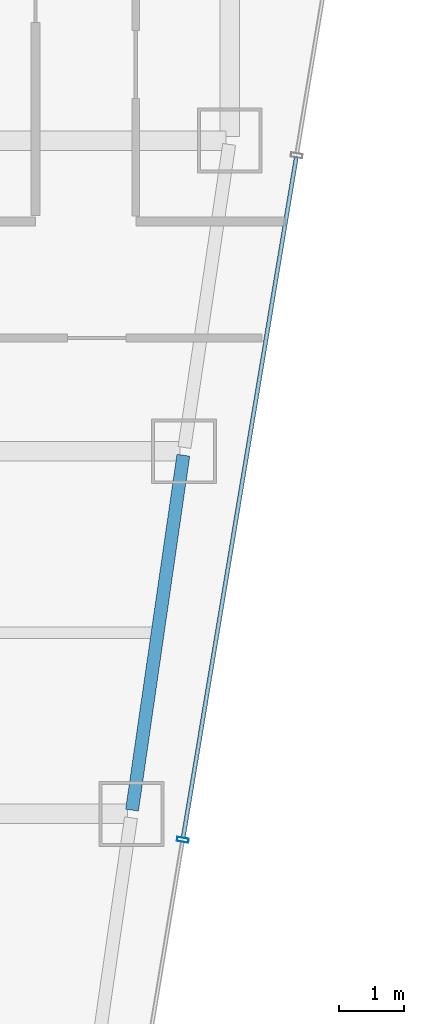
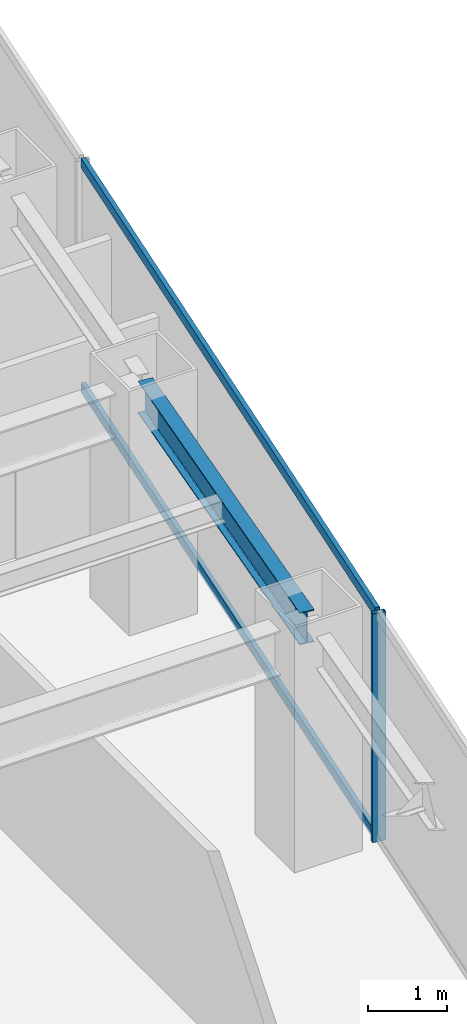
# One storey, part 18 of 36: 3 members, 1 beam, 1 element without a shape of its own.
"""IFC4 building model written with IfcOpenShell, lengths in metres."""

from ifc_helpers import new_model, si_unit, direction, frame, origin, origin_2d, place, context, subcontext, project, spatial, hollow_rectangle, i_section, extrude, material, material_profile, profile_set, type_object, element, aggregate, save


model = new_model("IFC4")

# Units and contexts
model_context = context("Model", 3, precision=1e-05, world=origin(), true_north=direction((0.0, 1.0)))
body_context = subcontext(model_context, "Body", "Model", "MODEL_VIEW")
ifc_project = project(units=[si_unit("LENGTHUNIT", "METRE"), si_unit("AREAUNIT", "SQUARE_METRE"), si_unit("VOLUMEUNIT", "CUBIC_METRE"), si_unit("PLANEANGLEUNIT", "RADIAN"), si_unit("MASSUNIT", "GRAM", prefix="KILO")], contexts=[model_context])

# Site, building, storey
site_placement = place(None, origin())
site = spatial("IfcSite", under=ifc_project, at=site_placement, CompositionType="ELEMENT")
building_placement = place(site_placement, origin())
building = spatial("IfcBuilding", under=site, at=building_placement, Name="Saevonmaru Cultural Tower", CompositionType="ELEMENT")
storey_placement = place(building_placement, frame((0.0, 0.0, 152.39990234375)))
storey = spatial("IfcBuildingStorey", under=building, at=storey_placement, Name="L33", CompositionType="ELEMENT", Elevation=152.39990234375)

# Beam
ifc_material_1 = material(Name="Steel SM355", Category="steel")
ifc_material_profile_1 = material_profile(ifc_material_1, i_section(OverallWidth=0.199951171875, OverallDepth=0.5, WebThickness=0.010009765625, FlangeThickness=0.01611328125, FilletRadius=0.02001953125, at=origin_2d()), Name="H-500x200x10x16")
ifc_profile_set_1 = profile_set([ifc_material_profile_1], Name="Steel SM355")
beam_type = type_object("IfcBeamType", Name="BM-SP-H500", PredefinedType="SPANDREL", material=ifc_profile_set_1)
beam_placement = place(storey_placement, frame((51.691650390625, 32.059326171875, 3.300048828125), z_axis=(0.142964121327, 0.989727871697, 0.0), x_axis=(-0.989727871697, 0.142964121327, 0.0)))
element("IfcBeam", 1, at=beam_placement, inside=storey, type_object=beam_type, Name="L33 East Splayed Spandrel 4", PredefinedType="SPANDREL", context=body_context, shape_type="SweptSolid", body=[
    extrude(i_section(OverallWidth=0.199951171875, OverallDepth=0.5, WebThickness=0.010009765625, FlangeThickness=0.01611328125, FilletRadius=0.02001953125, at=origin_2d()), origin(), (0.0, 0.0, 1.0), 5.5380859375),
])

# Curtain wall, members
ifc_material_2 = material(Name="Satin Bronze Anodised Aluminium", Category="aluminium")
curtain_wall_type = type_object("IfcCurtainWallType", Name="CW-TYP-A", PredefinedType="NOTDEFINED", material=ifc_material_2)
curtain_wall_placement = place(storey_placement, origin())
curtain_wall = element("IfcCurtainWall", 2, at=curtain_wall_placement, inside=storey, type_object=curtain_wall_type, Name="L33 Unitised Curtain Wall E8", PredefinedType="NOTDEFINED")
ifc_material_profile_2 = material_profile(ifc_material_2, hollow_rectangle(XDim=0.06494140625, YDim=0.179931640625, WallThickness=0.00390625, at=origin_2d()), Name="ALU-MULL-180x65x4")
ifc_profile_set_2 = profile_set([ifc_material_profile_2], Name="Satin Bronze Anodised Aluminium")
member_type_1 = type_object("IfcMemberType", Name="ML-CW-180x65", PredefinedType="MULLION", material=ifc_profile_set_2)
member_1_placement = place(storey_placement, frame((52.4755859375, 31.60009765625, 0.0), z_axis=(0.0, 0.0, 1.0), x_axis=(0.163998702345, 0.986460554523, 0.0)))
member_1 = element("IfcMember", 3, at=member_1_placement, type_object=member_type_1, Name="CW-TW-L33-E8 mullion 3", PredefinedType="MULLION", context=body_context, shape_type="SweptSolid", body=[
    extrude(hollow_rectangle(XDim=0.06494140625, YDim=0.179931640625, WallThickness=0.00390625, at=origin_2d()), origin(), (0.0, 0.0, 1.0), 3.550048828125),
])
ifc_material_profile_3 = material_profile(ifc_material_2, hollow_rectangle(XDim=0.06494140625, YDim=0.14990234375, WallThickness=0.00390625, at=origin_2d()), Name="ALU-TRAN-150x65x4")
ifc_profile_set_3 = profile_set([ifc_material_profile_3], Name="Satin Bronze Anodised Aluminium")
member_type_2 = type_object("IfcMemberType", Name="TR-CW-150x65", PredefinedType="USERDEFINED", material=ifc_profile_set_3)
member_2_placement = place(storey_placement, frame((52.48095703125, 31.632080078125, 0.03271484375), z_axis=(0.163990079074, 0.9864619881, 0.0), x_axis=(-0.9864619881, 0.163990079074, 0.0)))
member_2 = element("IfcMember", 4, at=member_2_placement, type_object=member_type_2, Name="CW-TW-L33-E8 transom 3.1", ObjectType="TRANSOM", PredefinedType="USERDEFINED", context=body_context, shape_type="SweptSolid", body=[
    extrude(hollow_rectangle(XDim=0.06494140625, YDim=0.14990234375, WallThickness=0.00390625, at=origin_2d()), origin(), (0.0, 0.0, 1.0), 10.650634765625),
])
member_3_placement = place(storey_placement, frame((52.48095703125, 31.632080078125, 3.517578125), z_axis=(0.163990079074, 0.9864619881, 0.0), x_axis=(-0.9864619881, 0.163990079074, 0.0)))
member_3 = element("IfcMember", 5, at=member_3_placement, type_object=member_type_2, Name="CW-TW-L33-E8 transom 3.2", ObjectType="TRANSOM", PredefinedType="USERDEFINED", context=body_context, shape_type="SweptSolid", body=[
    extrude(hollow_rectangle(XDim=0.06494140625, YDim=0.14990234375, WallThickness=0.00390625, at=origin_2d()), origin(), (0.0, 0.0, 1.0), 10.650634765625),
])
aggregate(curtain_wall, [member_1, member_2, member_3])

save(model, "model.ifc")
